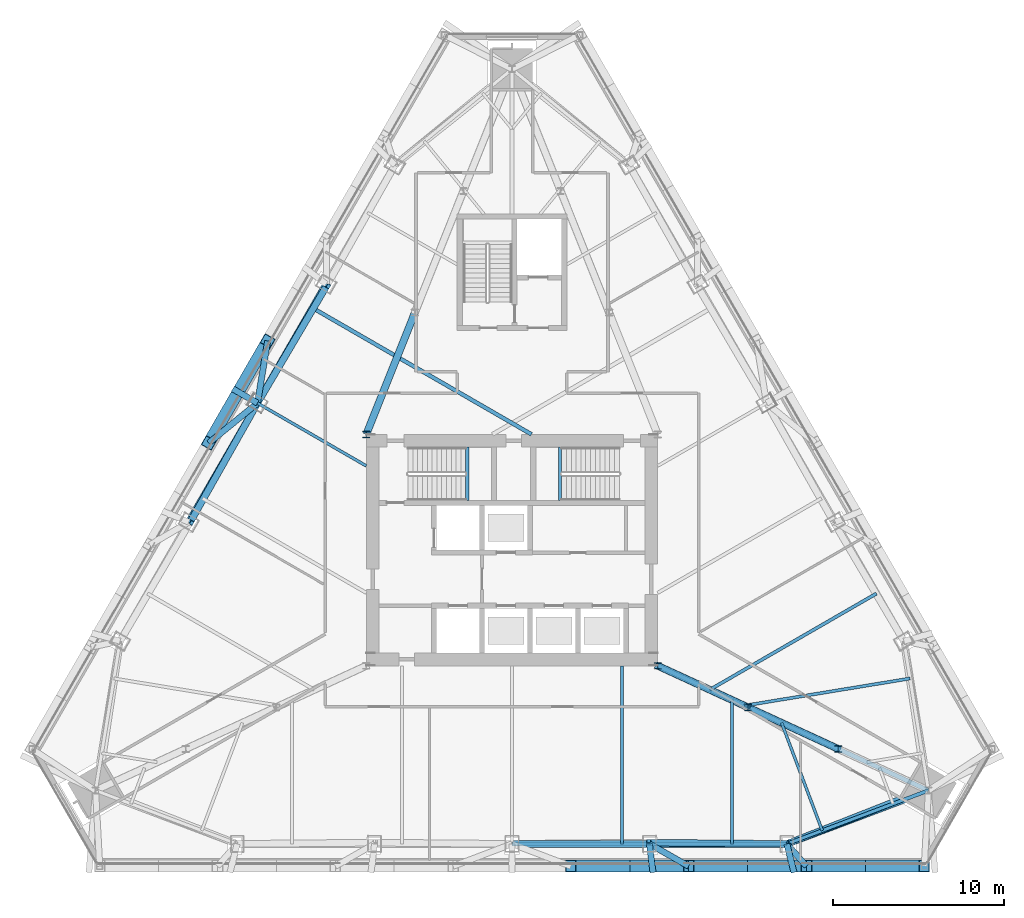
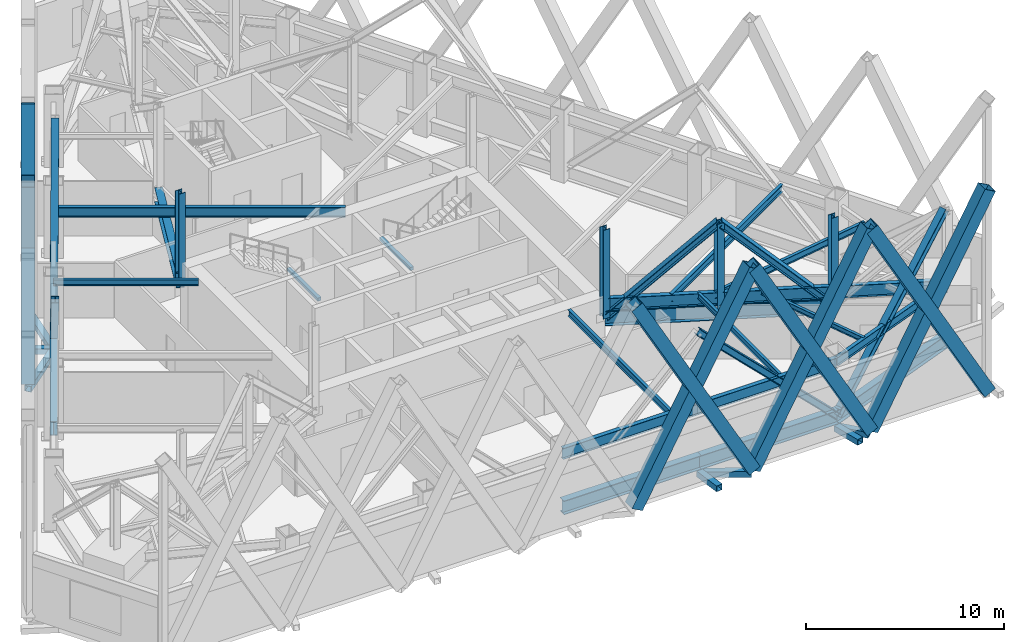
# One storey, part 3 of 16: 33 members, 12 beams.
"""IFC4 building model written with IfcOpenShell, lengths in metres."""

from ifc_helpers import new_model, si_unit, direction, frame, origin, origin_2d, place, context, subcontext, project, spatial, rectangle, hollow_rectangle, i_section, extrude, material, material_profile, profile_set, type_object, element, save


model = new_model("IFC4")

# Units and contexts
model_context = context("Model", 3, precision=1e-05, world=origin(), true_north=direction((0.0, 1.0)))
body_context = subcontext(model_context, "Body", "Model", "MODEL_VIEW")
ifc_project = project(units=[si_unit("LENGTHUNIT", "METRE"), si_unit("AREAUNIT", "SQUARE_METRE"), si_unit("VOLUMEUNIT", "CUBIC_METRE"), si_unit("PLANEANGLEUNIT", "RADIAN"), si_unit("MASSUNIT", "GRAM", prefix="KILO")], contexts=[model_context])

# Site, building, storey
site_placement = place(None, origin())
site = spatial("IfcSite", under=ifc_project, at=site_placement, CompositionType="ELEMENT")
building_placement = place(site_placement, origin())
building = spatial("IfcBuilding", under=site, at=building_placement, Name="Firuza Gate Tower and Library", CompositionType="ELEMENT")
storey_placement = place(building_placement, frame((0.0, 0.0, 247.60009765625)))
storey = spatial("IfcBuildingStorey", under=building, at=storey_placement, Name="L58", CompositionType="ELEMENT", Elevation=247.60009765625)

# Members
ifc_material_1 = material(Name="Steel S355", Category="steel")
ifc_material_profile_1 = material_profile(ifc_material_1, hollow_rectangle(XDim=0.699951171875, YDim=0.699951171875, WallThickness=0.030029296875, at=origin_2d()))
ifc_profile_set_1 = profile_set([ifc_material_profile_1], Name="Steel S355")
member_type_1 = type_object("IfcMemberType", Name="BU700x700x30 Lattice brace", PredefinedType="BRACE", material=ifc_profile_set_1)
for number, where, z_axis, x_axis, name in (
    (1, (78.435791015625, 56.557861328125, 0.0), (0.481721627687, 0.0, 0.876324296947), (0.0, 1.0, 0.0), "Lattice brace S 14.5R"),
    (2, (85.30712890625, 56.557861328125, 0.0), (-0.481721627687, 0.0, 0.876324296947), (0.0, -1.0, 0.0), "Lattice brace S 14.5L"),
    (3, (85.30712890625, 56.557861328125, 0.0), (0.481721627687, 0.0, 0.876324296947), (0.0, 1.0, 0.0), "Lattice brace S 14.6R"),
    (4, (92.178466796875, 56.557861328125, 0.0), (-0.481721627687, 0.0, 0.876324296947), (0.0, -1.0, 0.0), "Lattice brace S 14.6L"),
    (5, (92.178466796875, 56.557861328125, 0.0), (0.481734771435, 0.0, 0.876317071607), (0.0, 1.0, 0.0), "Lattice brace S 14.7R"),
    (6, (99.050048828125, 56.557861328125, 0.0), (-0.481734771435, 0.0, 0.876317071607), (0.0, -1.0, 0.0), "Lattice brace S 14.7L"),
    (7, (60.746337890625, 87.196533203125, 0.0), (-0.240851522763, -0.417194134974, 0.876321629156), (0.866039446924, -0.499975675779, 0.0), "Lattice brace W 14.4R"),
    (8, (57.310791015625, 81.24560546875, 0.0), (0.240851522763, 0.417194134974, 0.876321629156), (-0.866039446924, 0.499975675779, 0.0), "Lattice brace W 14.4L"),
):
    element("IfcMember", number, at=place(storey_placement, frame(where, z_axis=z_axis, x_axis=x_axis)), inside=storey, type_object=member_type_1, Name=name, PredefinedType="BRACE", context=body_context, shape_type="SweptSolid", body=[
        extrude(hollow_rectangle(XDim=0.699951171875, YDim=0.699951171875, WallThickness=0.030029296875, at=origin_2d()), origin(), (0.0, 0.0, 1.0), 14.26416015625),
    ])
ifc_material_2 = material(Name="Steel S355", Category="steel")
ifc_material_profile_2 = material_profile(ifc_material_2, hollow_rectangle(XDim=0.355712890625, YDim=0.355712890625, WallThickness=0.014892578125, at=origin_2d()))
ifc_profile_set_2 = profile_set([ifc_material_profile_2], Name="Steel S355")
member_type_2 = type_object("IfcMemberType", Name="HSS356x356x16 Lattice node tie", PredefinedType="BRACE", material=ifc_profile_set_2)
member_1_placement = place(storey_placement, frame((83.0166015625, 57.85791015625, -0.320068359375), z_axis=(0.124770225929, -0.992185663433, 0.0), x_axis=(0.992185663433, 0.124770225929, 0.0)))
element("IfcMember", 9, at=member_1_placement, inside=storey, type_object=member_type_2, Name="Lattice node tie S L58 346", PredefinedType="BRACE", context=body_context, shape_type="SweptSolid", body=[
    extrude(hollow_rectangle(XDim=0.355712890625, YDim=0.355712890625, WallThickness=0.014892578125, at=origin_2d()), origin(), (0.0, 0.0, 1.0), 1.675048828125),
])
member_2_placement = place(storey_placement, frame((83.0166015625, 57.85791015625, -0.320068359375), z_axis=(0.86968268875, -0.493611204177, 0.0), x_axis=(0.493611204177, 0.86968268875, 0.0)))
element("IfcMember", 10, at=member_2_placement, inside=storey, type_object=member_type_2, Name="Lattice node tie S L58 347", PredefinedType="BRACE", context=body_context, shape_type="SweptSolid", body=[
    extrude(hollow_rectangle(XDim=0.355712890625, YDim=0.355712890625, WallThickness=0.014892578125, at=origin_2d()), origin(), (0.0, 0.0, 1.0), 2.6337890625),
])
member_3_placement = place(storey_placement, frame((91.033447265625, 57.85791015625, -0.320068359375), z_axis=(0.243775802873, -0.969831613185, 0.0), x_axis=(0.969831613185, 0.243775802873, 0.0)))
element("IfcMember", 11, at=member_3_placement, inside=storey, type_object=member_type_2, Name="Lattice node tie S L58 348", PredefinedType="BRACE", context=body_context, shape_type="SweptSolid", body=[
    extrude(hollow_rectangle(XDim=0.355712890625, YDim=0.355712890625, WallThickness=0.014892578125, at=origin_2d()), origin(), (0.0, 0.0, 1.0), 1.713623046875),
])
member_4_placement = place(storey_placement, frame((91.033447265625, 57.85791015625, -0.320068359375), z_axis=(0.660945524086, -0.750433883957, 0.0), x_axis=(0.750433883957, 0.660945524086, 0.0)))
element("IfcMember", 12, at=member_4_placement, inside=storey, type_object=member_type_2, Name="Lattice node tie S L58 349", PredefinedType="BRACE", context=body_context, shape_type="SweptSolid", body=[
    extrude(hollow_rectangle(XDim=0.355712890625, YDim=0.355712890625, WallThickness=0.014892578125, at=origin_2d()), origin(), (0.0, 0.0, 1.0), 1.732421875),
])
for number, where, z_axis, x_axis, name in (
    (13, (60.154541015625, 83.571044921875, -0.320068359375), (-0.774126053785, -0.633031478563, 0.0), (0.633031478563, -0.774126053785, 0.0), "Lattice node tie W L58 357"),
    (14, (60.154541015625, 83.571044921875, -0.320068359375), (0.161100191915, 0.986938056904, 0.0), (-0.986938056904, 0.161100191915, 0.0), "Lattice node tie W L58 359"),
):
    element("IfcMember", number, at=place(storey_placement, frame(where, z_axis=z_axis, x_axis=x_axis)), inside=storey, type_object=member_type_2, Name=name, PredefinedType="BRACE", context=body_context, shape_type="SweptSolid", body=[
        extrude(hollow_rectangle(XDim=0.355712890625, YDim=0.355712890625, WallThickness=0.014892578125, at=origin_2d()), origin(), (0.0, 0.0, 1.0), 3.673583984375),
    ])
member_5_placement = place(storey_placement, frame((60.154541015625, 83.571044921875, -0.320068359375), z_axis=(-0.865992313895, 0.50005730899, 0.0), x_axis=(-0.50005730899, -0.865992313895, 0.0)))
element("IfcMember", 15, at=member_5_placement, inside=storey, type_object=member_type_2, Name="Lattice node tie W L58 360", PredefinedType="BRACE", context=body_context, shape_type="SweptSolid", body=[
    extrude(hollow_rectangle(XDim=0.355712890625, YDim=0.355712890625, WallThickness=0.014892578125, at=origin_2d()), origin(), (0.0, 0.0, 1.0), 1.661865234375),
])

# Beams
ifc_material_3 = material(Name="Concrete C35/45", Category="concrete")
ifc_material_profile_3 = material_profile(ifc_material_3, rectangle(XDim=0.199951171875, YDim=0.199951171875, at=origin_2d()))
ifc_profile_set_3 = profile_set([ifc_material_profile_3], Name="Concrete C35/45")
beam_type_1 = type_object("IfcBeamType", Name="Stair landing bearer 200x200", PredefinedType="BEAM", material=ifc_profile_set_3)
for number, where, z_axis, x_axis, name in (
    (16, (72.39990234375, 77.89990234375, 1.949951171875), (0.0, 1.0, 0.0), (-1.0, 0.0, 0.0), "Landing bearer L58 stair 1"),
    (17, (77.800048828125, 81.0, 1.949951171875), (0.0, -1.0, 0.0), (1.0, 0.0, 0.0), "Landing bearer L58 stair 2"),
):
    element("IfcBeam", number, at=place(storey_placement, frame(where, z_axis=z_axis, x_axis=x_axis)), inside=storey, type_object=beam_type_1, Name=name, PredefinedType="BEAM", context=body_context, shape_type="SweptSolid", body=[
        extrude(rectangle(XDim=0.199951171875, YDim=0.199951171875, at=origin_2d()), origin(), (0.0, 0.0, 1.0), 3.10009765625),
    ])
ifc_material_4 = material(Name="Steel S355", Category="steel")
ifc_material_profile_4 = material_profile(ifc_material_4, i_section(OverallWidth=0.1650390625, OverallDepth=0.31005859375, WebThickness=0.005859375, FlangeThickness=0.009765625, at=origin_2d()))
ifc_profile_set_4 = profile_set([ifc_material_profile_4], Name="Steel S355")
beam_type_2 = type_object("IfcBeamType", Name="W310x39 Floor beam", PredefinedType="JOIST", material=ifc_profile_set_4)
beam_1_placement = place(storey_placement, frame((93.097900390625, 58.63720703125, 3.89501953125), z_axis=(-0.353229521926, 0.935536693476, 0.0), x_axis=(-0.935536693476, -0.353229521926, 0.0)))
element("IfcBeam", 18, at=beam_1_placement, inside=storey, type_object=beam_type_2, Name="Floor beam L58 s30", PredefinedType="JOIST", context=body_context, shape_type="SweptSolid", body=[
    extrude(i_section(OverallWidth=0.1650390625, OverallDepth=0.31005859375, WebThickness=0.005859375, FlangeThickness=0.009765625, at=origin_2d()), origin(), (0.0, 0.0, 1.0), 6.717529296875),
])

# Members
ifc_material_5 = material(Name="Steel S355", Category="steel")
ifc_material_profile_5 = material_profile(ifc_material_5, i_section(OverallWidth=0.39404296875, OverallDepth=0.375, WebThickness=0.017333984375, FlangeThickness=0.027587890625, at=origin_2d()))
ifc_profile_set_5 = profile_set([ifc_material_profile_5], Name="Steel S355")
member_type_3 = type_object("IfcMemberType", Name="W360x216 Belt truss diagonal", PredefinedType="BRACE", material=ifc_profile_set_5)
member_6_placement = place(storey_placement, frame((82.97509765625, 57.929931640625, 8.372314453125), z_axis=(0.712090607454, -0.006364308456, -0.702058731413), x_axis=(0.008937141169, 0.999960062956, 0.0)))
element("IfcMember", 19, at=member_6_placement, inside=storey, type_object=member_type_3, Name="Belt truss diagonal L58 6", PredefinedType="BRACE", context=body_context, shape_type="SweptSolid", body=[
    extrude(i_section(OverallWidth=0.39404296875, OverallDepth=0.375, WebThickness=0.017333984375, FlangeThickness=0.027587890625, at=origin_2d()), origin(), (0.0, 0.0, 1.0), 11.31640625),
])
member_7_placement = place(storey_placement, frame((91.033447265625, 57.85791015625, 0.427490234375), z_axis=(0.688734253821, 0.270122269037, 0.67281430379), x_axis=(-0.365123148673, 0.93095922913, 0.0)))
element("IfcMember", 20, at=member_7_placement, inside=storey, type_object=member_type_3, Name="Belt truss diagonal L58 7", PredefinedType="BRACE", context=body_context, shape_type="SweptSolid", body=[
    extrude(i_section(OverallWidth=0.39404296875, OverallDepth=0.375, WebThickness=0.017333984375, FlangeThickness=0.027587890625, at=origin_2d()), origin(), (0.0, 0.0, 1.0), 11.808349609375),
])
for number, where, z_axis, x_axis, name in (
    (21, (64.204345703125, 90.441650390625, 8.372314453125), (-0.359749817516, -0.610325498224, -0.705749853003), (0.861480593984, -0.507790494386, 0.0), "Belt truss diagonal L58 16"),
    (22, (60.154541015625, 83.571044921875, 0.427490234375), (-0.348667662766, -0.616723413951, 0.705750020635), (0.870511521722, -0.49214803723, 0.0), "Belt truss diagonal L58 17"),
):
    element("IfcMember", number, at=place(storey_placement, frame(where, z_axis=z_axis, x_axis=x_axis)), inside=storey, type_object=member_type_3, Name=name, PredefinedType="BRACE", context=body_context, shape_type="SweptSolid", body=[
        extrude(i_section(OverallWidth=0.39404296875, OverallDepth=0.375, WebThickness=0.017333984375, FlangeThickness=0.027587890625, at=origin_2d()), origin(), (0.0, 0.0, 1.0), 11.25732421875),
    ])
ifc_material_6 = material(Name="Steel S355", Category="steel")
ifc_material_profile_6 = material_profile(ifc_material_6, i_section(OverallWidth=0.39404296875, OverallDepth=0.375, WebThickness=0.017333984375, FlangeThickness=0.027587890625, at=origin_2d()))
ifc_profile_set_6 = profile_set([ifc_material_profile_6], Name="Steel S355")
member_type_4 = type_object("IfcMemberType", Name="W360x216 Outrigger post", PredefinedType="POST", material=ifc_profile_set_6)
for number, where, z_axis, x_axis, name in (
    (23, (66.5, 81.75, 2.85595703125), (0.0, 0.0, 1.0), (1.0, 0.0, 0.0), "Outrigger NW L58 post 1"),
    (24, (83.5, 68.25, 2.85595703125), (0.0, 0.0, 1.0), (1.0, 0.0, 0.0), "Outrigger SE L58 post 1"),
    (25, (88.763671875, 65.8251953125, 2.85595703125), (0.0, 0.0, 1.0), (1.0, 0.0, 0.0), "Outrigger SE L58 post 2"),
    (26, (94.02734375, 63.400390625, 2.85595703125), (0.0, 0.0, 1.0), (1.0, 0.0, 0.0), "Outrigger SE L58 post 3"),
):
    element("IfcMember", number, at=place(storey_placement, frame(where, z_axis=z_axis, x_axis=x_axis)), inside=storey, type_object=member_type_4, Name=name, PredefinedType="POST", context=body_context, shape_type="SweptSolid", body=[
        extrude(i_section(OverallWidth=0.39404296875, OverallDepth=0.375, WebThickness=0.017333984375, FlangeThickness=0.027587890625, at=origin_2d()), origin(), (0.0, 0.0, 1.0), 5.488037109375),
    ])
ifc_material_7 = material(Name="Steel S355", Category="steel")
ifc_material_profile_7 = material_profile(ifc_material_7, i_section(OverallWidth=0.39794921875, OverallDepth=0.386962890625, WebThickness=0.02099609375, FlangeThickness=0.033203125, at=origin_2d()))
ifc_profile_set_7 = profile_set([ifc_material_profile_7], Name="Steel S355")
member_type_5 = type_object("IfcMemberType", Name="W360x262 Outrigger diagonal", PredefinedType="BRACE", material=ifc_profile_set_7)
for number, where, z_axis, x_axis, name in (
    (27, (83.5, 68.25, 2.85595703125), (0.659483376378, -0.303802824406, 0.687594008238), (0.418406229857, 0.908259999569, 0.0), "Outrigger SE L58 diagonal 1"),
    (28, (88.763671875, 65.8251953125, 8.343994140625), (0.659483376378, -0.303802824406, -0.687594008238), (0.418406229857, 0.908259999569, 0.0), "Outrigger SE L58 diagonal 2"),
):
    element("IfcMember", number, at=place(storey_placement, frame(where, z_axis=z_axis, x_axis=x_axis)), inside=storey, type_object=member_type_5, Name=name, PredefinedType="BRACE", context=body_context, shape_type="SweptSolid", body=[
        extrude(i_section(OverallWidth=0.39794921875, OverallDepth=0.386962890625, WebThickness=0.02099609375, FlangeThickness=0.033203125, at=origin_2d()), origin(), (0.0, 0.0, 1.0), 7.9814453125),
    ])

# Beams
ifc_material_8 = material(Name="Steel S355", Category="steel")
ifc_material_profile_8 = material_profile(ifc_material_8, i_section(OverallWidth=0.1708984375, OverallDepth=0.35498046875, WebThickness=0.007080078125, FlangeThickness=0.01171875, at=origin_2d()))
ifc_profile_set_8 = profile_set([ifc_material_profile_8], Name="Steel S355")
beam_type_3 = type_object("IfcBeamType", Name="W360x51 Floor beam", PredefinedType="JOIST", material=ifc_profile_set_8)
beam_2_placement = place(storey_placement, frame((87.82666015625, 57.85791015625, 3.872314453125), z_axis=(0.0, 1.0, 0.0), x_axis=(-1.0, 0.0, 0.0)))
element("IfcBeam", 29, at=beam_2_placement, inside=storey, type_object=beam_type_3, Name="Floor beam L58 s24", PredefinedType="JOIST", context=body_context, shape_type="SweptSolid", body=[
    extrude(i_section(OverallWidth=0.1708984375, OverallDepth=0.35498046875, WebThickness=0.007080078125, FlangeThickness=0.01171875, at=origin_2d()), origin(), (0.0, 0.0, 1.0), 8.39892578125),
])
beam_3_placement = place(storey_placement, frame((60.154541015625, 83.571044921875, 3.872314453125), z_axis=(0.866024117471, -0.500002227954, 0.0), x_axis=(0.500002227954, 0.866024117471, 0.0)))
element("IfcBeam", 30, at=beam_3_placement, inside=storey, type_object=beam_type_3, Name="Floor beam L58 s82", PredefinedType="JOIST", context=body_context, shape_type="SweptSolid", body=[
    extrude(i_section(OverallWidth=0.1708984375, OverallDepth=0.35498046875, WebThickness=0.007080078125, FlangeThickness=0.01171875, at=origin_2d()), origin(), (0.0, 0.0, 1.0), 7.3271484375),
])
ifc_material_9 = material(Name="Steel S355", Category="steel")
ifc_material_profile_9 = material_profile(ifc_material_9, i_section(OverallWidth=0.177978515625, OverallDepth=0.406982421875, WebThickness=0.0078125, FlangeThickness=0.0126953125, at=origin_2d()))
ifc_profile_set_9 = profile_set([ifc_material_profile_9], Name="Steel S355")
beam_type_4 = type_object("IfcBeamType", Name="W410x60 Floor beam", PredefinedType="JOIST", material=ifc_profile_set_9)
beam_4_placement = place(storey_placement, frame((81.413330078125, 57.85791015625, 3.846435546875), z_axis=(0.0, 1.0, 0.0), x_axis=(-1.0, 0.0, 0.0)))
element("IfcBeam", 31, at=beam_4_placement, inside=storey, type_object=beam_type_4, Name="Floor beam L58 s23", PredefinedType="JOIST", context=body_context, shape_type="SweptSolid", body=[
    extrude(i_section(OverallWidth=0.177978515625, OverallDepth=0.406982421875, WebThickness=0.0078125, FlangeThickness=0.0126953125, at=origin_2d()), origin(), (0.0, 0.0, 1.0), 10.39208984375),
])
beam_5_placement = place(storey_placement, frame((98.219482421875, 67.50830078125, 3.846435546875), z_axis=(-0.986807698697, -0.161896775116, 0.0), x_axis=(0.161896775116, -0.986807698697, 0.0)))
element("IfcBeam", 32, at=beam_5_placement, inside=storey, type_object=beam_type_4, Name="Floor beam L58 s41", PredefinedType="JOIST", context=body_context, shape_type="SweptSolid", body=[
    extrude(i_section(OverallWidth=0.177978515625, OverallDepth=0.406982421875, WebThickness=0.0078125, FlangeThickness=0.0126953125, at=origin_2d()), origin(), (0.0, 0.0, 1.0), 9.7958984375),
])
ifc_material_10 = material(Name="Steel S355", Category="steel")
ifc_material_profile_10 = material_profile(ifc_material_10, i_section(OverallWidth=0.18994140625, OverallDepth=0.45703125, WebThickness=0.009033203125, FlangeThickness=0.014404296875, at=origin_2d()))
ifc_profile_set_10 = profile_set([ifc_material_profile_10], Name="Steel S355")
beam_type_5 = type_object("IfcBeamType", Name="W460x74 Floor beam", PredefinedType="JOIST", material=ifc_profile_set_10)
beam_6_placement = place(storey_placement, frame((96.2587890625, 72.462890625, 3.8212890625), z_axis=(-0.866023315909, -0.500003616288, 0.0), x_axis=(0.500003616288, -0.866023315909, 0.0)))
element("IfcBeam", 33, at=beam_6_placement, inside=storey, type_object=beam_type_5, Name="Floor beam L58 s50", PredefinedType="JOIST", context=body_context, shape_type="SweptSolid", body=[
    extrude(i_section(OverallWidth=0.18994140625, OverallDepth=0.45703125, WebThickness=0.009033203125, FlangeThickness=0.014404296875, at=origin_2d()), origin(), (0.0, 0.0, 1.0), 11.224609375),
])
ifc_material_11 = material(Name="Steel S355", Category="steel")
ifc_material_profile_11 = material_profile(ifc_material_11, i_section(OverallWidth=0.212890625, OverallDepth=0.5390625, WebThickness=0.01171875, FlangeThickness=0.018798828125, at=origin_2d()))
ifc_profile_set_11 = profile_set([ifc_material_profile_11], Name="Steel S355")
beam_type_6 = type_object("IfcBeamType", Name="W530x109 Edge beam", PredefinedType="SPANDREL", material=ifc_profile_set_11)
beam_7_placement = place(storey_placement, frame((91.033447265625, 57.85791015625, 3.780517578125), z_axis=(0.935544819698, 0.353207998686, 0.0), x_axis=(-0.353207998686, 0.935544819698, 0.0)))
element("IfcBeam", 34, at=beam_7_placement, inside=storey, type_object=beam_type_6, Name="Edge beam L58 e30", PredefinedType="SPANDREL", context=body_context, shape_type="SweptSolid", body=[
    extrude(i_section(OverallWidth=0.212890625, OverallDepth=0.5390625, WebThickness=0.01171875, FlangeThickness=0.018798828125, at=origin_2d()), origin(), (0.0, 0.0, 1.0), 8.82666015625),
])
ifc_material_12 = material(Name="Steel S355", Category="steel")
ifc_material_profile_12 = material_profile(ifc_material_12, i_section(OverallWidth=0.22802734375, OverallDepth=0.60302734375, WebThickness=0.010498046875, FlangeThickness=0.014892578125, at=origin_2d()))
ifc_profile_set_12 = profile_set([ifc_material_profile_12], Name="Steel S355")
beam_type_7 = type_object("IfcBeamType", Name="W610x101 Floor beam", PredefinedType="JOIST", material=ifc_profile_set_12)
beam_8_placement = place(storey_placement, frame((63.361083984375, 89.125244140625, 3.748291015625), z_axis=(0.866023240308, -0.500003747233, 0.0), x_axis=(0.500003747233, 0.866023240308, 0.0)))
element("IfcBeam", 35, at=beam_8_placement, inside=storey, type_object=beam_type_7, Name="Floor beam L58 s81", PredefinedType="JOIST", context=body_context, shape_type="SweptSolid", body=[
    extrude(i_section(OverallWidth=0.22802734375, OverallDepth=0.60302734375, WebThickness=0.010498046875, FlangeThickness=0.014892578125, at=origin_2d()), origin(), (0.0, 0.0, 1.0), 14.75048828125),
])
ifc_material_13 = material(Name="Steel S355", Category="steel")
ifc_material_profile_13 = material_profile(ifc_material_13, i_section(OverallWidth=0.2529296875, OverallDepth=0.677978515625, WebThickness=0.01171875, FlangeThickness=0.016357421875, at=origin_2d()))
ifc_profile_set_13 = profile_set([ifc_material_profile_13], Name="Steel S355")
beam_type_8 = type_object("IfcBeamType", Name="W690x125 Edge beam", PredefinedType="SPANDREL", material=ifc_profile_set_13)
beam_9_placement = place(storey_placement, frame((75.0, 57.85791015625, 3.7109375), z_axis=(1.0, 0.0, 0.0), x_axis=(0.0, 1.0, 0.0)))
element("IfcBeam", 36, at=beam_9_placement, inside=storey, type_object=beam_type_8, Name="Edge beam L58 e22", PredefinedType="SPANDREL", context=body_context, shape_type="SweptSolid", body=[
    extrude(i_section(OverallWidth=0.2529296875, OverallDepth=0.677978515625, WebThickness=0.01171875, FlangeThickness=0.016357421875, at=origin_2d()), origin(), (0.0, 0.0, 1.0), 16.033447265625),
])
ifc_material_14 = material(Name="Steel S355", Category="steel")
ifc_material_profile_14 = material_profile(ifc_material_14, i_section(OverallWidth=0.264892578125, OverallDepth=0.7529296875, WebThickness=0.01318359375, FlangeThickness=0.01708984375, at=origin_2d()))
ifc_profile_set_14 = profile_set([ifc_material_profile_14], Name="Steel S355")
beam_type_9 = type_object("IfcBeamType", Name="W760x147 Girder", PredefinedType="BEAM", material=ifc_profile_set_14)
beam_10_placement = place(storey_placement, frame((99.291259765625, 60.9755859375, 3.67333984375), z_axis=(-0.908262457831, 0.418400893516, 0.0), x_axis=(-0.418400893516, -0.908262457831, 0.0)))
element("IfcBeam", 37, at=beam_10_placement, inside=storey, type_object=beam_type_9, Name="Girder L58 gSE", PredefinedType="BEAM", context=body_context, shape_type="SweptSolid", body=[
    extrude(i_section(OverallWidth=0.264892578125, OverallDepth=0.7529296875, WebThickness=0.01318359375, FlangeThickness=0.01708984375, at=origin_2d()), origin(), (0.0, 0.0, 1.0), 17.38623046875),
])

# Members
ifc_material_15 = material(Name="Steel S355", Category="steel")
ifc_material_profile_15 = material_profile(ifc_material_15, i_section(OverallWidth=0.39990234375, OverallDepth=0.85498046875, WebThickness=0.018310546875, FlangeThickness=0.029296875, at=origin_2d()))
ifc_profile_set_15 = profile_set([ifc_material_profile_15], Name="Steel S355")
member_type_6 = type_object("IfcMemberType", Name="W840x299 Belt truss chord", PredefinedType="CHORD", material=ifc_profile_set_15)
member_8_placement = place(storey_placement, frame((75.0, 57.85791015625, 0.427490234375), z_axis=(1.0, 0.0, 0.0), x_axis=(0.0, 1.0, 0.0)))
element("IfcMember", 38, at=member_8_placement, inside=storey, type_object=member_type_6, Name="Belt truss bottom chord L58 5", PredefinedType="CHORD", context=body_context, shape_type="SweptSolid", body=[
    extrude(i_section(OverallWidth=0.39990234375, OverallDepth=0.85498046875, WebThickness=0.018310546875, FlangeThickness=0.029296875, at=origin_2d()), origin(), (0.0, 0.0, 1.0), 8.0166015625),
])
member_9_placement = place(storey_placement, frame((83.0166015625, 57.85791015625, 0.427490234375), z_axis=(1.0, 0.0, 0.0), x_axis=(0.0, 1.0, 0.0)))
element("IfcMember", 39, at=member_9_placement, inside=storey, type_object=member_type_6, Name="Belt truss bottom chord L58 6", PredefinedType="CHORD", context=body_context, shape_type="SweptSolid", body=[
    extrude(i_section(OverallWidth=0.39990234375, OverallDepth=0.85498046875, WebThickness=0.018310546875, FlangeThickness=0.029296875, at=origin_2d()), origin(), (0.0, 0.0, 1.0), 8.016845703125),
])
member_10_placement = place(storey_placement, frame((91.033447265625, 57.85791015625, 0.427490234375), z_axis=(0.935544819698, 0.353207998686, 0.0), x_axis=(-0.353207998686, 0.935544819698, 0.0)))
element("IfcMember", 40, at=member_10_placement, inside=storey, type_object=member_type_6, Name="Belt truss bottom chord L58 7", PredefinedType="CHORD", context=body_context, shape_type="SweptSolid", body=[
    extrude(i_section(OverallWidth=0.39990234375, OverallDepth=0.85498046875, WebThickness=0.018310546875, FlangeThickness=0.029296875, at=origin_2d()), origin(), (0.0, 0.0, 1.0), 8.82666015625),
])
member_11_placement = place(storey_placement, frame((64.162841796875, 90.513671875, 0.427490234375), z_axis=(-0.499997496548, -0.866026849149, 0.0), x_axis=(0.866026849149, -0.499997496548, 0.0)))
element("IfcMember", 41, at=member_11_placement, inside=storey, type_object=member_type_6, Name="Belt truss bottom chord L58 16", PredefinedType="CHORD", context=body_context, shape_type="SweptSolid", body=[
    extrude(i_section(OverallWidth=0.39990234375, OverallDepth=0.85498046875, WebThickness=0.018310546875, FlangeThickness=0.029296875, at=origin_2d()), origin(), (0.0, 0.0, 1.0), 8.0166015625),
])
member_12_placement = place(storey_placement, frame((60.154541015625, 83.571044921875, 0.427490234375), z_axis=(-0.500020336772, -0.866013662025, 0.0), x_axis=(0.866013662025, -0.500020336772, 0.0)))
element("IfcMember", 42, at=member_12_placement, inside=storey, type_object=member_type_6, Name="Belt truss bottom chord L58 17", PredefinedType="CHORD", context=body_context, shape_type="SweptSolid", body=[
    extrude(i_section(OverallWidth=0.39990234375, OverallDepth=0.85498046875, WebThickness=0.018310546875, FlangeThickness=0.029296875, at=origin_2d()), origin(), (0.0, 0.0, 1.0), 8.016845703125),
])
ifc_material_16 = material(Name="Steel S355", Category="steel")
ifc_material_profile_16 = material_profile(ifc_material_16, i_section(OverallWidth=0.41796875, OverallDepth=0.912109375, WebThickness=0.019287109375, FlangeThickness=0.031982421875, at=origin_2d()))
ifc_profile_set_16 = profile_set([ifc_material_profile_16], Name="Steel S355")
member_type_7 = type_object("IfcMemberType", Name="W920x342 Outrigger chord", PredefinedType="CHORD", material=ifc_profile_set_16)
member_13_placement = place(storey_placement, frame((66.5, 81.75, 2.85595703125), z_axis=(0.370647159452, 0.928773752423, 0.0), x_axis=(-0.928773752423, 0.370647159452, 0.0)))
element("IfcMember", 43, at=member_13_placement, inside=storey, type_object=member_type_7, Name="Outrigger NW L58 bottom chord 1", PredefinedType="CHORD", context=body_context, shape_type="SweptSolid", body=[
    extrude(i_section(OverallWidth=0.41796875, OverallDepth=0.912109375, WebThickness=0.019287109375, FlangeThickness=0.031982421875, at=origin_2d()), origin(), (0.0, 0.0, 1.0), 7.64404296875),
])
for number, where, z_axis, x_axis, name in (
    (44, (83.5, 68.25, 2.85595703125), (0.908259999569, -0.418406229857, 0.0), (0.418406229857, 0.908259999569, 0.0), "Outrigger SE L58 bottom chord 1"),
    (45, (88.763671875, 65.8251953125, 2.85595703125), (0.908259999569, -0.418406229857, 0.0), (0.418406229857, 0.908259999569, 0.0), "Outrigger SE L58 bottom chord 2"),
):
    element("IfcMember", number, at=place(storey_placement, frame(where, z_axis=z_axis, x_axis=x_axis)), inside=storey, type_object=member_type_7, Name=name, PredefinedType="CHORD", context=body_context, shape_type="SweptSolid", body=[
        extrude(i_section(OverallWidth=0.41796875, OverallDepth=0.912109375, WebThickness=0.019287109375, FlangeThickness=0.031982421875, at=origin_2d()), origin(), (0.0, 0.0, 1.0), 5.79541015625),
    ])

save(model, "model.ifc")
